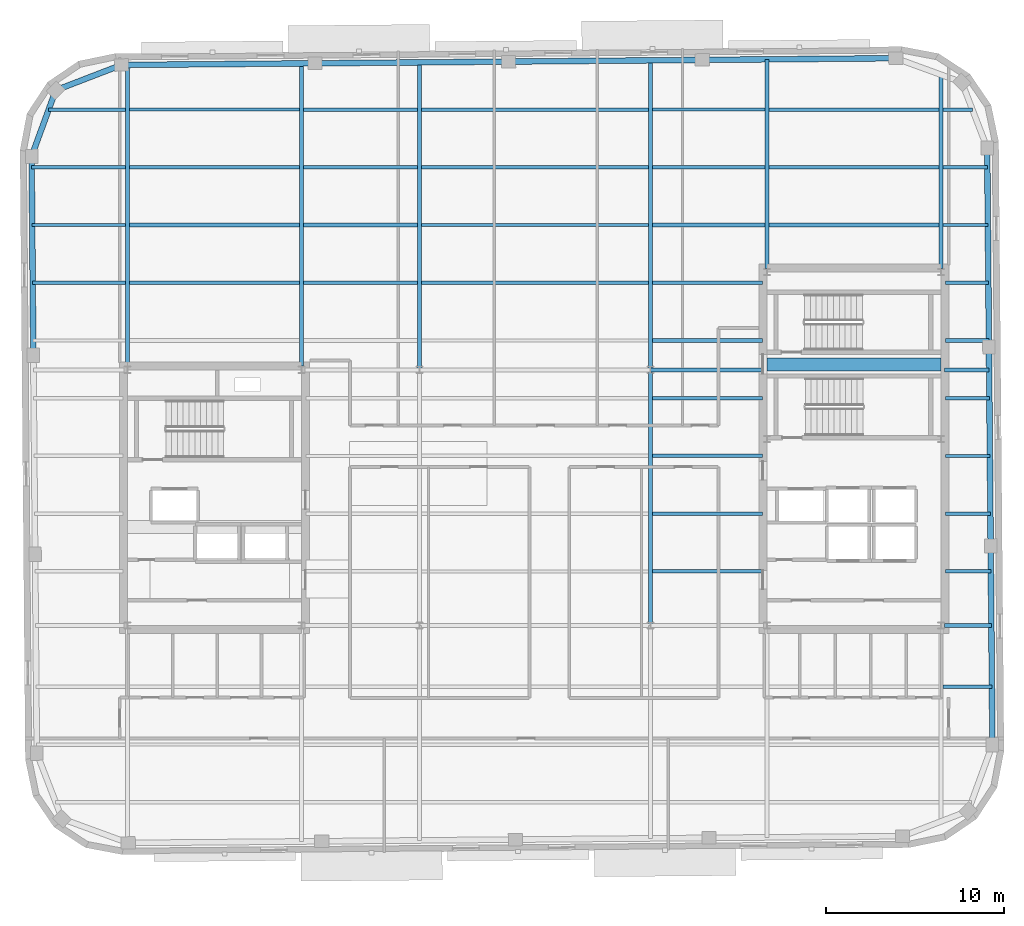
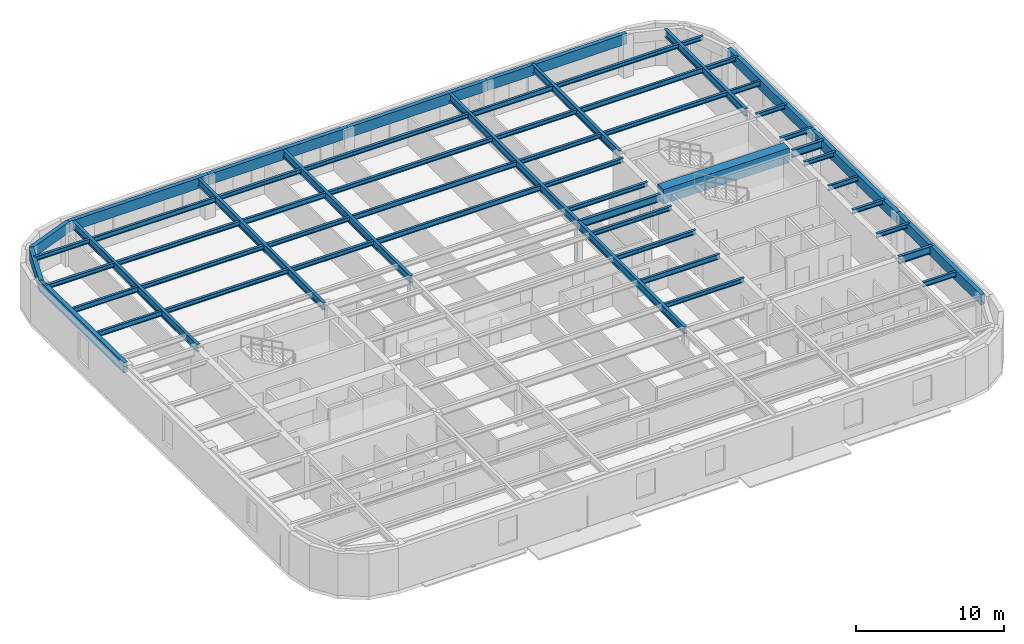
# One storey, part 5 of 13: 59 beams.
"""IFC4 building model written with IfcOpenShell, lengths in metres."""

import ifcopenshell
import ifcopenshell.guid

model = None  # the IFC model being written
_history = None  # IfcOwnerHistory: only IFC2X3 demands one
_inside = {}  # id of a spatial element -> (the spatial element, [elements in it])
_under = {}  # id of a project, library or spatial element -> (it, [spatial elements below it])
_declared = {}  # id of a project -> (the project, [libraries it declares])
_typed = {}  # id of a type object -> (the type object, [elements of that type])
_made_of = {}  # id of a material, layer set ... -> (it, [elements and type objects made of it])


def new_model(schema):
    """Start an empty IFC model of exactly this schema.

    Asked for "IFC4X3", IfcOpenShell would pick the latest addendum, in which some entities
    have other attributes; the version numbers below select the first issue.
    IFC2X3 requires an IfcOwnerHistory on every rooted entity: one is made here for all.
    """
    global model, _history
    if schema == "IFC4X3":
        model = ifcopenshell.file(schema_version=(4, 3, 0, 0))
    else:
        model = ifcopenshell.file(schema=schema)
    _inside.clear()
    _under.clear()
    _declared.clear()
    _typed.clear()
    _made_of.clear()
    _history = None
    if model.schema == "IFC2X3":
        org = make("IfcOrganization", Name="unknown")
        user = make(
            "IfcPersonAndOrganization",
            ThePerson=make("IfcPerson", FamilyName="unknown"),
            TheOrganization=org,
        )
        app = make(
            "IfcApplication",
            ApplicationDeveloper=org,
            Version="unknown",
            ApplicationFullName="unknown",
            ApplicationIdentifier="unknown",
        )
        _history = make(
            "IfcOwnerHistory",
            OwningUser=user,
            OwningApplication=app,
            ChangeAction="ADDED",
            CreationDate=0,
        )
    return model


def make(cls, **values):
    """One entity of the class cls with the attributes given. An attribute that is None is left unset."""
    return model.create_entity(
        cls, **{name: value for name, value in values.items() if value is not None}
    )


def rooted(cls, **values):
    """An entity with a GlobalId (a new one), such as an element, a storey or a relation."""
    return make(cls, GlobalId=ifcopenshell.guid.new(), OwnerHistory=_history, **values)


def si_unit(unit_type, name, prefix=None):
    """IfcSIUnit, for example si_unit("LENGTHUNIT", "METRE", prefix="MILLI")."""
    return make("IfcSIUnit", UnitType=unit_type, Prefix=prefix, Name=name)


def assignment(units):
    """IfcUnitAssignment: the units of a project."""
    return None if units is None else make("IfcUnitAssignment", Units=units)


def point(xyz):
    """IfcCartesianPoint."""
    return None if xyz is None else make("IfcCartesianPoint", Coordinates=xyz)


def direction(xyz):
    """IfcDirection."""
    return None if xyz is None else make("IfcDirection", DirectionRatios=xyz)


def frame(location, z_axis=None, x_axis=None):
    """IfcAxis2Placement3D, a coordinate frame: its origin and axes. An axis left out is left unset."""
    return make(
        "IfcAxis2Placement3D",
        Location=point(location),
        Axis=direction(z_axis),
        RefDirection=direction(x_axis),
    )


def frame_2d(location, x_axis=None):
    """IfcAxis2Placement2D, a coordinate frame in the plane: its origin and x axis."""
    return make(
        "IfcAxis2Placement2D", Location=point(location), RefDirection=direction(x_axis)
    )


def origin():
    """The frame at (0, 0, 0) with its axes left unset."""
    return frame((0.0, 0.0, 0.0))


def origin_2d():
    """The frame at (0, 0) in the plane with its x axis left unset."""
    return frame_2d((0.0, 0.0))


def place(relative_to, where):
    """IfcLocalPlacement: puts the frame where relative to a parent placement (None: the world)."""
    return make(
        "IfcLocalPlacement", PlacementRelTo=relative_to, RelativePlacement=where
    )


def context(
    kind, dimensions, precision=None, world=None, true_north=None, identifier=None
):
    """IfcGeometricRepresentationContext, for example the 3D "Model" context."""
    return make(
        "IfcGeometricRepresentationContext",
        ContextIdentifier=identifier,
        ContextType=kind,
        CoordinateSpaceDimension=dimensions,
        Precision=precision,
        WorldCoordinateSystem=world,
        TrueNorth=true_north,
    )


def subcontext(parent, identifier, kind, view, scale=None):
    """IfcGeometricRepresentationSubContext, for example "Body" below "Model"."""
    return make(
        "IfcGeometricRepresentationSubContext",
        ContextIdentifier=identifier,
        ContextType=kind,
        ParentContext=parent,
        TargetScale=scale,
        TargetView=view,
    )


def project(units=None, contexts=None):
    """IfcProject with its units and contexts."""
    return rooted(
        "IfcProject",
        Name="project",
        RepresentationContexts=contexts,
        UnitsInContext=assignment(units),
    )


def spatial(cls, under=None, at=None, **own):
    """A site, building, storey or space (cls), placed at a placement, below another one or the project."""
    s = rooted(cls, ObjectPlacement=at, **own)
    if under is not None:
        _under.setdefault(under.id(), (under, []))[1].append(s)
    return s


def profile(cls, at=None, kind="AREA", **sizes):
    """A parametric profile (cls). Its sizes go by their IFC names, for example OverallWidth=200.0."""
    return make(cls, ProfileType=kind, Position=at, **sizes)


def rectangle(**sizes):
    """IfcRectangleProfileDef."""
    return profile("IfcRectangleProfileDef", **sizes)


def hollow_rectangle(**sizes):
    """IfcRectangleHollowProfileDef."""
    return profile("IfcRectangleHollowProfileDef", **sizes)


def i_section(**sizes):
    """IfcIShapeProfileDef."""
    return profile("IfcIShapeProfileDef", **sizes)


def extrude(swept, where, along, depth):
    """IfcExtrudedAreaSolid: the profile swept, set in the frame where, extruded along a direction by depth."""
    return make(
        "IfcExtrudedAreaSolid",
        SweptArea=swept,
        Position=where,
        ExtrudedDirection=direction(along),
        Depth=depth,
    )


def shape(context_of_items, identifier, shape_type, items):
    """IfcShapeRepresentation: the items that make up one representation, for example the "Body"."""
    return make(
        "IfcShapeRepresentation",
        ContextOfItems=context_of_items,
        RepresentationIdentifier=identifier,
        RepresentationType=shape_type,
        Items=items,
    )


def material(Name=None, Category=None):
    """IfcMaterial."""
    return make("IfcMaterial", Name=Name, Category=Category)


def material_profile(
    of_material, cross_section, Name=None, Category=None, Priority=None
):
    """IfcMaterialProfile: a cross section and its material."""
    return make(
        "IfcMaterialProfile",
        Name=Name,
        Material=of_material,
        Profile=cross_section,
        Priority=Priority,
        Category=Category,
    )


def profile_set(profiles, Name=None, composite=None):
    """IfcMaterialProfileSet."""
    return make(
        "IfcMaterialProfileSet",
        Name=Name,
        MaterialProfiles=profiles,
        CompositeProfile=composite,
    )


def made_of(thing, what):
    """Note that an element or type object is made of a material, layer set ...; save() writes the relation."""
    if what is not None:
        _made_of.setdefault(what.id(), (what, []))[1].append(thing)
    return thing


def type_object(cls, material=None, **own):
    """A type object (cls), such as IfcWallType, which elements share."""
    return made_of(rooted(cls, **own), material)


def element(
    cls,
    number,
    at=None,
    inside=None,
    cuts=None,
    type_object=None,
    material=None,
    context=None,
    identifier="Body",
    shape_type=None,
    held_by="IfcProductDefinitionShape",
    body=None,
    shapes=None,
    **own,
):
    """One element of the class cls, such as IfcWall. Its Tag is "e" and its number.

    at: its placement. inside: the storey or other place that contains it. cuts: it is an
    opening in that element (IfcRelVoidsElement). A single representation is given by context,
    identifier, shape_type and body (its items); several are given by shapes. held_by: the class
    of the entity that holds the representations. save() writes the other relations.
    """
    e = rooted(cls, Tag="e%d" % number, ObjectPlacement=at, **own)
    if body is not None:
        shapes = [shape(context, identifier, shape_type, body)]
    if shapes is not None:
        e.Representation = make(held_by, Representations=shapes)
    if inside is not None:
        _inside.setdefault(inside.id(), (inside, []))[1].append(e)
    if cuts is not None:
        rooted(
            "IfcRelVoidsElement", RelatingBuildingElement=cuts, RelatedOpeningElement=e
        )
    if type_object is not None:
        _typed.setdefault(type_object.id(), (type_object, []))[1].append(e)
    return made_of(e, material)


def aggregate(whole, parts):
    """IfcRelAggregates: a whole, such as a stair, and the parts it consists of."""
    return rooted("IfcRelAggregates", RelatingObject=whole, RelatedObjects=parts)


def save(model, path):
    """Write the relations noted so far, then the file.

    IfcRelAggregates (storeys below a building ...), IfcRelContainedInSpatialStructure (elements
    in a storey), IfcRelDefinesByType, IfcRelAssociatesMaterial and IfcRelDeclares: one each for
    every whole, place, type object, material and project.
    """
    for whole, parts in _under.values():
        aggregate(whole, parts)
    for where, things in _inside.values():
        rooted(
            "IfcRelContainedInSpatialStructure",
            RelatedElements=things,
            RelatingStructure=where,
        )
    for kind, things in _typed.values():
        rooted("IfcRelDefinesByType", RelatedObjects=things, RelatingType=kind)
    for what, things in _made_of.values():
        rooted("IfcRelAssociatesMaterial", RelatedObjects=things, RelatingMaterial=what)
    for by, libraries in _declared.values():
        rooted("IfcRelDeclares", RelatingContext=by, RelatedDefinitions=libraries)
    model.write(path)


model = new_model("IFC4")

# Units and contexts
model_context = context("Model", 3, precision=1e-05, world=origin(), true_north=direction((0.0, 1.0)))
body_context = subcontext(model_context, "Body", "Model", "MODEL_VIEW")
ifc_project = project(units=[si_unit("LENGTHUNIT", "METRE"), si_unit("AREAUNIT", "SQUARE_METRE"), si_unit("VOLUMEUNIT", "CUBIC_METRE"), si_unit("PLANEANGLEUNIT", "RADIAN"), si_unit("MASSUNIT", "GRAM", prefix="KILO")], contexts=[model_context])

# Site, building, storey
site_placement = place(None, origin())
site = spatial("IfcSite", under=ifc_project, at=site_placement, CompositionType="ELEMENT")
building_placement = place(site_placement, origin())
building = spatial("IfcBuilding", under=site, at=building_placement, Name="Kolvaren Arena Tower", CompositionType="ELEMENT")
storey_placement = place(building_placement, frame((0.0, 0.0, 301.14990234375)))
storey = spatial("IfcBuildingStorey", under=building, at=storey_placement, Name="L74", CompositionType="ELEMENT", Elevation=301.14990234375)

# Beams
ifc_material_1 = material(Name="Steel CSA G40.21 350W", Category="steel")
ifc_material_profile_1 = material_profile(ifc_material_1, i_section(OverallWidth=0.180908203125, OverallDepth=0.4169921875, WebThickness=0.010986328125, FlangeThickness=0.018310546875, FilletRadius=0.011962890625, at=origin_2d()), Name="W410x85")
ifc_profile_set_1 = profile_set([ifc_material_profile_1], Name="Steel CSA G40.21 350W")
beam_type_1 = type_object("IfcBeamType", Name="BEAM-F3", PredefinedType="BEAM", material=ifc_profile_set_1)
beam_1_placement = place(storey_placement, frame((60.464111328125, 16.0, 3.271484375), z_axis=(1.0, 0.0, 0.0), x_axis=(0.0, 1.0, 0.0)))
element("IfcBeam", 1, at=beam_1_placement, inside=storey, type_object=beam_type_1, Name="Composite Floor Beam (L74)", PredefinedType="BEAM", context=body_context, shape_type="SweptSolid", body=[
    extrude(i_section(OverallWidth=0.180908203125, OverallDepth=0.4169921875, WebThickness=0.010986328125, FlangeThickness=0.018310546875, FilletRadius=0.011962890625, at=origin_2d()), origin(), (0.0, 0.0, 1.0), 2.7529296875),
])
beam_2_placement = place(storey_placement, frame((44.114013671875, 25.75, 3.271484375), z_axis=(1.0, 0.0, 0.0), x_axis=(0.0, 1.0, 0.0)))
element("IfcBeam", 2, at=beam_2_placement, inside=storey, type_object=beam_type_1, Name="Composite Floor Beam (L74)", PredefinedType="BEAM", context=body_context, shape_type="SweptSolid", body=[
    extrude(i_section(OverallWidth=0.180908203125, OverallDepth=0.4169921875, WebThickness=0.010986328125, FlangeThickness=0.018310546875, FilletRadius=0.011962890625, at=origin_2d()), origin(), (0.0, 0.0, 1.0), 6.19091796875),
])
beam_3_placement = place(storey_placement, frame((60.594970703125, 29.0, 3.271484375), z_axis=(1.0, 0.0, 0.0), x_axis=(0.0, 1.0, 0.0)))
element("IfcBeam", 3, at=beam_3_placement, inside=storey, type_object=beam_type_1, Name="Composite Floor Beam (L74)", PredefinedType="BEAM", context=body_context, shape_type="SweptSolid", body=[
    extrude(i_section(OverallWidth=0.180908203125, OverallDepth=0.4169921875, WebThickness=0.010986328125, FlangeThickness=0.018310546875, FilletRadius=0.011962890625, at=origin_2d()), origin(), (0.0, 0.0, 1.0), 2.508544921875),
])
beam_4_placement = place(storey_placement, frame((9.216552734375, 38.75, 3.271484375), z_axis=(1.0, 0.0, 0.0), x_axis=(0.0, 1.0, 0.0)))
element("IfcBeam", 4, at=beam_4_placement, inside=storey, type_object=beam_type_1, Name="Composite Floor Beam (L74)", PredefinedType="BEAM", context=body_context, shape_type="SweptSolid", body=[
    extrude(i_section(OverallWidth=0.180908203125, OverallDepth=0.4169921875, WebThickness=0.010986328125, FlangeThickness=0.018310546875, FilletRadius=0.011962890625, at=origin_2d()), origin(), (0.0, 0.0, 1.0), 5.219482421875),
])
beam_5_placement = place(storey_placement, frame((31.114013671875, 38.75, 3.271484375), z_axis=(1.0, 0.0, 0.0), x_axis=(0.0, 1.0, 0.0)))
element("IfcBeam", 5, at=beam_5_placement, inside=storey, type_object=beam_type_1, Name="Composite Floor Beam (L74)", PredefinedType="BEAM", context=body_context, shape_type="SweptSolid", body=[
    extrude(i_section(OverallWidth=0.180908203125, OverallDepth=0.4169921875, WebThickness=0.010986328125, FlangeThickness=0.018310546875, FilletRadius=0.011962890625, at=origin_2d()), origin(), (0.0, 0.0, 1.0), 12.77197265625),
])
beam_6_placement = place(storey_placement, frame((9.18798828125, 42.0, 3.271484375), z_axis=(1.0, 0.0, 0.0), x_axis=(0.0, 1.0, 0.0)))
element("IfcBeam", 6, at=beam_6_placement, inside=storey, type_object=beam_type_1, Name="Composite Floor Beam (L74)", PredefinedType="BEAM", context=body_context, shape_type="SweptSolid", body=[
    extrude(i_section(OverallWidth=0.180908203125, OverallDepth=0.4169921875, WebThickness=0.010986328125, FlangeThickness=0.018310546875, FilletRadius=0.011962890625, at=origin_2d()), origin(), (0.0, 0.0, 1.0), 5.248046875),
])
beam_7_placement = place(storey_placement, frame((31.114013671875, 42.0, 3.271484375), z_axis=(1.0, 0.0, 0.0), x_axis=(0.0, 1.0, 0.0)))
element("IfcBeam", 7, at=beam_7_placement, inside=storey, type_object=beam_type_1, Name="Composite Floor Beam (L74)", PredefinedType="BEAM", context=body_context, shape_type="SweptSolid", body=[
    extrude(i_section(OverallWidth=0.180908203125, OverallDepth=0.4169921875, WebThickness=0.010986328125, FlangeThickness=0.018310546875, FilletRadius=0.011962890625, at=origin_2d()), origin(), (0.0, 0.0, 1.0), 12.77197265625),
])
beam_8_placement = place(storey_placement, frame((60.464111328125, 42.0, 3.271484375), z_axis=(1.0, 0.0, 0.0), x_axis=(0.0, 1.0, 0.0)))
element("IfcBeam", 8, at=beam_8_placement, inside=storey, type_object=beam_type_1, Name="Composite Floor Beam (L74)", PredefinedType="BEAM", context=body_context, shape_type="SweptSolid", body=[
    extrude(i_section(OverallWidth=0.180908203125, OverallDepth=0.4169921875, WebThickness=0.010986328125, FlangeThickness=0.018310546875, FilletRadius=0.011962890625, at=origin_2d()), origin(), (0.0, 0.0, 1.0), 2.526123046875),
])
beam_9_placement = place(storey_placement, frame((24.464111328125, 45.25, 3.271484375), z_axis=(1.0, 0.0, 0.0), x_axis=(0.0, 1.0, 0.0)))
element("IfcBeam", 9, at=beam_9_placement, inside=storey, type_object=beam_type_1, Name="Composite Floor Beam (L74)", PredefinedType="BEAM", context=body_context, shape_type="SweptSolid", body=[
    extrude(i_section(OverallWidth=0.180908203125, OverallDepth=0.4169921875, WebThickness=0.010986328125, FlangeThickness=0.018310546875, FilletRadius=0.011962890625, at=origin_2d()), origin(), (0.0, 0.0, 1.0), 6.421875),
])
for number, where, z_axis, x_axis, name in (
    (10, (50.6640625, 45.25, 3.271484375), (1.0, 0.0, 0.0), (0.0, 1.0, 0.0), "Composite Floor Beam (L74)"),
    (11, (14.6640625, 48.5, 3.271484375), (1.0, 0.0, 0.0), (0.0, 1.0, 0.0), "Composite Floor Beam (L74)"),
):
    element("IfcBeam", number, at=place(storey_placement, frame(where, z_axis=z_axis, x_axis=x_axis)), inside=storey, type_object=beam_type_1, Name=name, PredefinedType="BEAM", context=body_context, shape_type="SweptSolid", body=[
        extrude(i_section(OverallWidth=0.180908203125, OverallDepth=0.4169921875, WebThickness=0.010986328125, FlangeThickness=0.018310546875, FilletRadius=0.011962890625, at=origin_2d()), origin(), (0.0, 0.0, 1.0), 9.572021484375),
    ])
beam_10_placement = place(storey_placement, frame((44.114013671875, 48.5, 3.271484375), z_axis=(1.0, 0.0, 0.0), x_axis=(0.0, 1.0, 0.0)))
element("IfcBeam", 12, at=beam_10_placement, inside=storey, type_object=beam_type_1, Name="Composite Floor Beam (L74)", PredefinedType="BEAM", context=body_context, shape_type="SweptSolid", body=[
    extrude(i_section(OverallWidth=0.180908203125, OverallDepth=0.4169921875, WebThickness=0.010986328125, FlangeThickness=0.018310546875, FilletRadius=0.011962890625, at=origin_2d()), origin(), (0.0, 0.0, 1.0), 6.322021484375),
])
ifc_material_2 = material(Name="Concrete 60 MPa", Category="concrete")
ifc_material_profile_2 = material_profile(ifc_material_2, rectangle(XDim=0.75, YDim=1.199951171875, at=origin_2d()), Name="RC-750x1200")
ifc_profile_set_2 = profile_set([ifc_material_profile_2], Name="Concrete 60 MPa")
beam_type_2 = type_object("IfcBeamType", Name="CB-CORE-2", PredefinedType="BEAM", material=ifc_profile_set_2)
beam_11_placement = place(storey_placement, frame((50.550048828125, 34.14990234375, 3.150146484375), z_axis=(1.0, 0.0, 0.0), x_axis=(0.0, 1.0, 0.0)))
element("IfcBeam", 13, at=beam_11_placement, inside=storey, type_object=beam_type_2, Name="East Core Coupling Beam (L74)", PredefinedType="BEAM", context=body_context, shape_type="SweptSolid", body=[
    extrude(rectangle(XDim=0.75, YDim=1.199951171875, at=origin_2d()), origin(), (0.0, 0.0, 1.0), 9.800048828125),
])
ifc_material_profile_3 = material_profile(ifc_material_1, i_section(OverallWidth=0.22802734375, OverallDepth=0.615966796875, WebThickness=0.013916015625, FlangeThickness=0.02490234375, FilletRadius=0.014892578125, at=origin_2d()), Name="W610x174")
ifc_profile_set_3 = profile_set([ifc_material_profile_3], Name="Steel CSA G40.21 350W")
beam_type_3 = type_object("IfcBeamType", Name="GIRD-T3", PredefinedType="BEAM", material=ifc_profile_set_3)
beam_12_placement = place(storey_placement, frame((60.554931640625, 19.449951171875, 3.172119140625), z_axis=(1.0, 0.0, 0.0), x_axis=(0.0, 1.0, 0.0)))
element("IfcBeam", 14, at=beam_12_placement, inside=storey, type_object=beam_type_3, Name="Primary Floor Girder (L74)", PredefinedType="BEAM", context=body_context, shape_type="SweptSolid", body=[
    extrude(i_section(OverallWidth=0.22802734375, OverallDepth=0.615966796875, WebThickness=0.013916015625, FlangeThickness=0.02490234375, FilletRadius=0.014892578125, at=origin_2d()), origin(), (0.0, 0.0, 1.0), 2.632080078125),
])
beam_13_placement = place(storey_placement, frame((44.0, 33.85009765625, 3.172119140625), z_axis=(1.0, 0.0, 0.0), x_axis=(0.0, 1.0, 0.0)))
element("IfcBeam", 15, at=beam_13_placement, inside=storey, type_object=beam_type_3, Name="Primary Floor Girder (L74)", PredefinedType="BEAM", context=body_context, shape_type="SweptSolid", body=[
    extrude(i_section(OverallWidth=0.22802734375, OverallDepth=0.615966796875, WebThickness=0.013916015625, FlangeThickness=0.02490234375, FilletRadius=0.014892578125, at=origin_2d()), origin(), (0.0, 0.0, 1.0), 6.344970703125),
])
beam_14_placement = place(storey_placement, frame((60.554931640625, 33.85009765625, 3.172119140625), z_axis=(1.0, 0.0, 0.0), x_axis=(0.0, 1.0, 0.0)))
element("IfcBeam", 16, at=beam_14_placement, inside=storey, type_object=beam_type_3, Name="Primary Floor Girder (L74)", PredefinedType="BEAM", context=body_context, shape_type="SweptSolid", body=[
    extrude(i_section(OverallWidth=0.22802734375, OverallDepth=0.615966796875, WebThickness=0.013916015625, FlangeThickness=0.02490234375, FilletRadius=0.014892578125, at=origin_2d()), origin(), (0.0, 0.0, 1.0), 2.50634765625),
])
beam_15_placement = place(storey_placement, frame((14.550048828125, 34.054931640625, 3.172119140625), z_axis=(0.0, 1.0, 0.0), x_axis=(-1.0, 0.0, 0.0)))
element("IfcBeam", 17, at=beam_15_placement, inside=storey, type_object=beam_type_3, Name="Primary Floor Girder (L74)", PredefinedType="BEAM", context=body_context, shape_type="SweptSolid", body=[
    extrude(i_section(OverallWidth=0.22802734375, OverallDepth=0.615966796875, WebThickness=0.013916015625, FlangeThickness=0.02490234375, FilletRadius=0.014892578125, at=origin_2d()), origin(), (0.0, 0.0, 1.0), 16.95703125),
])
beam_16_placement = place(storey_placement, frame((24.35009765625, 34.054931640625, 3.172119140625), z_axis=(0.0, 1.0, 0.0), x_axis=(-1.0, 0.0, 0.0)))
element("IfcBeam", 18, at=beam_16_placement, inside=storey, type_object=beam_type_3, Name="Primary Floor Girder (L74)", PredefinedType="BEAM", context=body_context, shape_type="SweptSolid", body=[
    extrude(i_section(OverallWidth=0.22802734375, OverallDepth=0.615966796875, WebThickness=0.013916015625, FlangeThickness=0.02490234375, FilletRadius=0.014892578125, at=origin_2d()), origin(), (0.0, 0.0, 1.0), 17.04248046875),
])
beam_17_placement = place(storey_placement, frame((31.0, 33.85009765625, 3.172119140625), z_axis=(0.0, 1.0, 0.0), x_axis=(-1.0, 0.0, 0.0)))
element("IfcBeam", 19, at=beam_17_placement, inside=storey, type_object=beam_type_3, Name="Primary Floor Girder (L74)", PredefinedType="BEAM", context=body_context, shape_type="SweptSolid", body=[
    extrude(i_section(OverallWidth=0.22802734375, OverallDepth=0.615966796875, WebThickness=0.013916015625, FlangeThickness=0.02490234375, FilletRadius=0.014892578125, at=origin_2d()), origin(), (0.0, 0.0, 1.0), 17.305419921875),
])
beam_18_placement = place(storey_placement, frame((44.0, 19.449951171875, 3.172119140625), z_axis=(0.0, 1.0, 0.0), x_axis=(-1.0, 0.0, 0.0)))
element("IfcBeam", 20, at=beam_18_placement, inside=storey, type_object=beam_type_3, Name="Primary Floor Girder (L74)", PredefinedType="BEAM", context=body_context, shape_type="SweptSolid", body=[
    extrude(i_section(OverallWidth=0.22802734375, OverallDepth=0.615966796875, WebThickness=0.013916015625, FlangeThickness=0.02490234375, FilletRadius=0.014892578125, at=origin_2d()), origin(), (0.0, 0.0, 1.0), 14.400146484375),
])
beam_19_placement = place(storey_placement, frame((44.0, 33.85009765625, 3.172119140625), z_axis=(0.0, 1.0, 0.0), x_axis=(-1.0, 0.0, 0.0)))
element("IfcBeam", 21, at=beam_19_placement, inside=storey, type_object=beam_type_3, Name="Primary Floor Girder (L74)", PredefinedType="BEAM", context=body_context, shape_type="SweptSolid", body=[
    extrude(i_section(OverallWidth=0.22802734375, OverallDepth=0.615966796875, WebThickness=0.013916015625, FlangeThickness=0.02490234375, FilletRadius=0.014892578125, at=origin_2d()), origin(), (0.0, 0.0, 1.0), 17.418701171875),
])
beam_20_placement = place(storey_placement, frame((50.550048828125, 39.554931640625, 3.172119140625), z_axis=(0.0, 1.0, 0.0), x_axis=(-1.0, 0.0, 0.0)))
element("IfcBeam", 22, at=beam_20_placement, inside=storey, type_object=beam_type_3, Name="Primary Floor Girder (L74)", PredefinedType="BEAM", context=body_context, shape_type="SweptSolid", body=[
    extrude(i_section(OverallWidth=0.22802734375, OverallDepth=0.615966796875, WebThickness=0.013916015625, FlangeThickness=0.02490234375, FilletRadius=0.014892578125, at=origin_2d()), origin(), (0.0, 0.0, 1.0), 11.771240234375),
])
beam_21_placement = place(storey_placement, frame((60.35009765625, 39.554931640625, 3.172119140625), z_axis=(0.0, 1.0, 0.0), x_axis=(-1.0, 0.0, 0.0)))
element("IfcBeam", 23, at=beam_21_placement, inside=storey, type_object=beam_type_3, Name="Primary Floor Girder (L74)", PredefinedType="BEAM", context=body_context, shape_type="SweptSolid", body=[
    extrude(i_section(OverallWidth=0.22802734375, OverallDepth=0.615966796875, WebThickness=0.013916015625, FlangeThickness=0.02490234375, FilletRadius=0.014892578125, at=origin_2d()), origin(), (0.0, 0.0, 1.0), 10.90625),
])
ifc_material_profile_4 = material_profile(ifc_material_1, i_section(OverallWidth=0.202880859375, OverallDepth=0.346923828125, WebThickness=0.0078125, FlangeThickness=0.013427734375, FilletRadius=0.010986328125, at=origin_2d()), Name="W360x64")
ifc_profile_set_4 = profile_set([ifc_material_profile_4], Name="Steel CSA G40.21 350W")
beam_type_4 = type_object("IfcBeamType", Name="JOIST-01", PredefinedType="JOIST", material=ifc_profile_set_4)
beam_22_placement = place(storey_placement, frame((44.114013671875, 22.5, 3.306640625), z_axis=(1.0, 0.0, 0.0), x_axis=(0.0, 1.0, 0.0)))
element("IfcBeam", 24, at=beam_22_placement, inside=storey, type_object=beam_type_4, Name="Composite Floor Joist (L74)", PredefinedType="JOIST", context=body_context, shape_type="SweptSolid", body=[
    extrude(i_section(OverallWidth=0.202880859375, OverallDepth=0.346923828125, WebThickness=0.0078125, FlangeThickness=0.013427734375, FilletRadius=0.010986328125, at=origin_2d()), origin(), (0.0, 0.0, 1.0), 6.19091796875),
])
beam_23_placement = place(storey_placement, frame((60.594970703125, 22.5, 3.306640625), z_axis=(1.0, 0.0, 0.0), x_axis=(0.0, 1.0, 0.0)))
element("IfcBeam", 25, at=beam_23_placement, inside=storey, type_object=beam_type_4, Name="Composite Floor Joist (L74)", PredefinedType="JOIST", context=body_context, shape_type="SweptSolid", body=[
    extrude(i_section(OverallWidth=0.202880859375, OverallDepth=0.346923828125, WebThickness=0.0078125, FlangeThickness=0.013427734375, FilletRadius=0.010986328125, at=origin_2d()), origin(), (0.0, 0.0, 1.0), 2.5654296875),
])
beam_24_placement = place(storey_placement, frame((60.594970703125, 25.75, 3.306640625), z_axis=(1.0, 0.0, 0.0), x_axis=(0.0, 1.0, 0.0)))
element("IfcBeam", 26, at=beam_24_placement, inside=storey, type_object=beam_type_4, Name="Composite Floor Joist (L74)", PredefinedType="JOIST", context=body_context, shape_type="SweptSolid", body=[
    extrude(i_section(OverallWidth=0.202880859375, OverallDepth=0.346923828125, WebThickness=0.0078125, FlangeThickness=0.013427734375, FilletRadius=0.010986328125, at=origin_2d()), origin(), (0.0, 0.0, 1.0), 2.537109375),
])
for number, where, z_axis, x_axis, name in (
    (27, (44.114013671875, 29.0, 3.306640625), (1.0, 0.0, 0.0), (0.0, 1.0, 0.0), "Composite Floor Joist (L74)"),
    (28, (44.114013671875, 32.25, 3.306640625), (1.0, 0.0, 0.0), (0.0, 1.0, 0.0), "Composite Floor Joist (L74)"),
):
    element("IfcBeam", number, at=place(storey_placement, frame(where, z_axis=z_axis, x_axis=x_axis)), inside=storey, type_object=beam_type_4, Name=name, PredefinedType="JOIST", context=body_context, shape_type="SweptSolid", body=[
        extrude(i_section(OverallWidth=0.202880859375, OverallDepth=0.346923828125, WebThickness=0.0078125, FlangeThickness=0.013427734375, FilletRadius=0.010986328125, at=origin_2d()), origin(), (0.0, 0.0, 1.0), 6.19091796875),
    ])
beam_25_placement = place(storey_placement, frame((60.594970703125, 32.25, 3.306640625), z_axis=(1.0, 0.0, 0.0), x_axis=(0.0, 1.0, 0.0)))
element("IfcBeam", 29, at=beam_25_placement, inside=storey, type_object=beam_type_4, Name="Composite Floor Joist (L74)", PredefinedType="JOIST", context=body_context, shape_type="SweptSolid", body=[
    extrude(i_section(OverallWidth=0.202880859375, OverallDepth=0.346923828125, WebThickness=0.0078125, FlangeThickness=0.013427734375, FilletRadius=0.010986328125, at=origin_2d()), origin(), (0.0, 0.0, 1.0), 2.480224609375),
])
beam_26_placement = place(storey_placement, frame((44.114013671875, 35.5, 3.306640625), z_axis=(1.0, 0.0, 0.0), x_axis=(0.0, 1.0, 0.0)))
element("IfcBeam", 30, at=beam_26_placement, inside=storey, type_object=beam_type_4, Name="Composite Floor Joist (L74)", PredefinedType="JOIST", context=body_context, shape_type="SweptSolid", body=[
    extrude(i_section(OverallWidth=0.202880859375, OverallDepth=0.346923828125, WebThickness=0.0078125, FlangeThickness=0.013427734375, FilletRadius=0.010986328125, at=origin_2d()), origin(), (0.0, 0.0, 1.0), 6.19091796875),
])
beam_27_placement = place(storey_placement, frame((60.594970703125, 35.5, 3.306640625), z_axis=(1.0, 0.0, 0.0), x_axis=(0.0, 1.0, 0.0)))
element("IfcBeam", 31, at=beam_27_placement, inside=storey, type_object=beam_type_4, Name="Composite Floor Joist (L74)", PredefinedType="JOIST", context=body_context, shape_type="SweptSolid", body=[
    extrude(i_section(OverallWidth=0.202880859375, OverallDepth=0.346923828125, WebThickness=0.0078125, FlangeThickness=0.013427734375, FilletRadius=0.010986328125, at=origin_2d()), origin(), (0.0, 0.0, 1.0), 2.451904296875),
])
beam_28_placement = place(storey_placement, frame((14.6640625, 38.75, 3.306640625), z_axis=(1.0, 0.0, 0.0), x_axis=(0.0, 1.0, 0.0)))
element("IfcBeam", 32, at=beam_28_placement, inside=storey, type_object=beam_type_4, Name="Composite Floor Joist (L74)", PredefinedType="JOIST", context=body_context, shape_type="SweptSolid", body=[
    extrude(i_section(OverallWidth=0.202880859375, OverallDepth=0.346923828125, WebThickness=0.0078125, FlangeThickness=0.013427734375, FilletRadius=0.010986328125, at=origin_2d()), origin(), (0.0, 0.0, 1.0), 9.572021484375),
])
beam_29_placement = place(storey_placement, frame((24.464111328125, 38.75, 3.306640625), z_axis=(1.0, 0.0, 0.0), x_axis=(0.0, 1.0, 0.0)))
element("IfcBeam", 33, at=beam_29_placement, inside=storey, type_object=beam_type_4, Name="Composite Floor Joist (L74)", PredefinedType="JOIST", context=body_context, shape_type="SweptSolid", body=[
    extrude(i_section(OverallWidth=0.202880859375, OverallDepth=0.346923828125, WebThickness=0.0078125, FlangeThickness=0.013427734375, FilletRadius=0.010986328125, at=origin_2d()), origin(), (0.0, 0.0, 1.0), 6.421875),
])
beam_30_placement = place(storey_placement, frame((44.114013671875, 38.75, 3.306640625), z_axis=(1.0, 0.0, 0.0), x_axis=(0.0, 1.0, 0.0)))
element("IfcBeam", 34, at=beam_30_placement, inside=storey, type_object=beam_type_4, Name="Composite Floor Joist (L74)", PredefinedType="JOIST", context=body_context, shape_type="SweptSolid", body=[
    extrude(i_section(OverallWidth=0.202880859375, OverallDepth=0.346923828125, WebThickness=0.0078125, FlangeThickness=0.013427734375, FilletRadius=0.010986328125, at=origin_2d()), origin(), (0.0, 0.0, 1.0), 6.19091796875),
])
beam_31_placement = place(storey_placement, frame((60.594970703125, 38.75, 3.306640625), z_axis=(1.0, 0.0, 0.0), x_axis=(0.0, 1.0, 0.0)))
element("IfcBeam", 35, at=beam_31_placement, inside=storey, type_object=beam_type_4, Name="Composite Floor Joist (L74)", PredefinedType="JOIST", context=body_context, shape_type="SweptSolid", body=[
    extrude(i_section(OverallWidth=0.202880859375, OverallDepth=0.346923828125, WebThickness=0.0078125, FlangeThickness=0.013427734375, FilletRadius=0.010986328125, at=origin_2d()), origin(), (0.0, 0.0, 1.0), 2.423583984375),
])
beam_32_placement = place(storey_placement, frame((14.6640625, 42.0, 3.306640625), z_axis=(1.0, 0.0, 0.0), x_axis=(0.0, 1.0, 0.0)))
element("IfcBeam", 36, at=beam_32_placement, inside=storey, type_object=beam_type_4, Name="Composite Floor Joist (L74)", PredefinedType="JOIST", context=body_context, shape_type="SweptSolid", body=[
    extrude(i_section(OverallWidth=0.202880859375, OverallDepth=0.346923828125, WebThickness=0.0078125, FlangeThickness=0.013427734375, FilletRadius=0.010986328125, at=origin_2d()), origin(), (0.0, 0.0, 1.0), 9.572021484375),
])
beam_33_placement = place(storey_placement, frame((24.464111328125, 42.0, 3.306640625), z_axis=(1.0, 0.0, 0.0), x_axis=(0.0, 1.0, 0.0)))
element("IfcBeam", 37, at=beam_33_placement, inside=storey, type_object=beam_type_4, Name="Composite Floor Joist (L74)", PredefinedType="JOIST", context=body_context, shape_type="SweptSolid", body=[
    extrude(i_section(OverallWidth=0.202880859375, OverallDepth=0.346923828125, WebThickness=0.0078125, FlangeThickness=0.013427734375, FilletRadius=0.010986328125, at=origin_2d()), origin(), (0.0, 0.0, 1.0), 6.421875),
])
beam_34_placement = place(storey_placement, frame((44.114013671875, 42.0, 3.306640625), z_axis=(1.0, 0.0, 0.0), x_axis=(0.0, 1.0, 0.0)))
element("IfcBeam", 38, at=beam_34_placement, inside=storey, type_object=beam_type_4, Name="Composite Floor Joist (L74)", PredefinedType="JOIST", context=body_context, shape_type="SweptSolid", body=[
    extrude(i_section(OverallWidth=0.202880859375, OverallDepth=0.346923828125, WebThickness=0.0078125, FlangeThickness=0.013427734375, FilletRadius=0.010986328125, at=origin_2d()), origin(), (0.0, 0.0, 1.0), 6.322021484375),
])
beam_35_placement = place(storey_placement, frame((50.6640625, 42.0, 3.306640625), z_axis=(1.0, 0.0, 0.0), x_axis=(0.0, 1.0, 0.0)))
element("IfcBeam", 39, at=beam_35_placement, inside=storey, type_object=beam_type_4, Name="Composite Floor Joist (L74)", PredefinedType="JOIST", context=body_context, shape_type="SweptSolid", body=[
    extrude(i_section(OverallWidth=0.202880859375, OverallDepth=0.346923828125, WebThickness=0.0078125, FlangeThickness=0.013427734375, FilletRadius=0.010986328125, at=origin_2d()), origin(), (0.0, 0.0, 1.0), 9.572021484375),
])
beam_36_placement = place(storey_placement, frame((9.159912109375, 45.25, 3.306640625), z_axis=(1.0, 0.0, 0.0), x_axis=(0.0, 1.0, 0.0)))
element("IfcBeam", 40, at=beam_36_placement, inside=storey, type_object=beam_type_4, Name="Composite Floor Joist (L74)", PredefinedType="JOIST", context=body_context, shape_type="SweptSolid", body=[
    extrude(i_section(OverallWidth=0.202880859375, OverallDepth=0.346923828125, WebThickness=0.0078125, FlangeThickness=0.013427734375, FilletRadius=0.010986328125, at=origin_2d()), origin(), (0.0, 0.0, 1.0), 5.276123046875),
])
beam_37_placement = place(storey_placement, frame((14.6640625, 45.25, 3.306640625), z_axis=(1.0, 0.0, 0.0), x_axis=(0.0, 1.0, 0.0)))
element("IfcBeam", 41, at=beam_37_placement, inside=storey, type_object=beam_type_4, Name="Composite Floor Joist (L74)", PredefinedType="JOIST", context=body_context, shape_type="SweptSolid", body=[
    extrude(i_section(OverallWidth=0.202880859375, OverallDepth=0.346923828125, WebThickness=0.0078125, FlangeThickness=0.013427734375, FilletRadius=0.010986328125, at=origin_2d()), origin(), (0.0, 0.0, 1.0), 9.572021484375),
])
beam_38_placement = place(storey_placement, frame((31.114013671875, 45.25, 3.306640625), z_axis=(1.0, 0.0, 0.0), x_axis=(0.0, 1.0, 0.0)))
element("IfcBeam", 42, at=beam_38_placement, inside=storey, type_object=beam_type_4, Name="Composite Floor Joist (L74)", PredefinedType="JOIST", context=body_context, shape_type="SweptSolid", body=[
    extrude(i_section(OverallWidth=0.202880859375, OverallDepth=0.346923828125, WebThickness=0.0078125, FlangeThickness=0.013427734375, FilletRadius=0.010986328125, at=origin_2d()), origin(), (0.0, 0.0, 1.0), 12.77197265625),
])
beam_39_placement = place(storey_placement, frame((44.114013671875, 45.25, 3.306640625), z_axis=(1.0, 0.0, 0.0), x_axis=(0.0, 1.0, 0.0)))
element("IfcBeam", 43, at=beam_39_placement, inside=storey, type_object=beam_type_4, Name="Composite Floor Joist (L74)", PredefinedType="JOIST", context=body_context, shape_type="SweptSolid", body=[
    extrude(i_section(OverallWidth=0.202880859375, OverallDepth=0.346923828125, WebThickness=0.0078125, FlangeThickness=0.013427734375, FilletRadius=0.010986328125, at=origin_2d()), origin(), (0.0, 0.0, 1.0), 6.322021484375),
])
beam_40_placement = place(storey_placement, frame((60.464111328125, 45.25, 3.306640625), z_axis=(1.0, 0.0, 0.0), x_axis=(0.0, 1.0, 0.0)))
element("IfcBeam", 44, at=beam_40_placement, inside=storey, type_object=beam_type_4, Name="Composite Floor Joist (L74)", PredefinedType="JOIST", context=body_context, shape_type="SweptSolid", body=[
    extrude(i_section(OverallWidth=0.202880859375, OverallDepth=0.346923828125, WebThickness=0.0078125, FlangeThickness=0.013427734375, FilletRadius=0.010986328125, at=origin_2d()), origin(), (0.0, 0.0, 1.0), 2.497802734375),
])
beam_41_placement = place(storey_placement, frame((10.11669921875, 48.5, 3.306640625), z_axis=(1.0, 0.0, 0.0), x_axis=(0.0, 1.0, 0.0)))
element("IfcBeam", 45, at=beam_41_placement, inside=storey, type_object=beam_type_4, Name="Composite Floor Joist (L74)", PredefinedType="JOIST", context=body_context, shape_type="SweptSolid", body=[
    extrude(i_section(OverallWidth=0.202880859375, OverallDepth=0.346923828125, WebThickness=0.0078125, FlangeThickness=0.013427734375, FilletRadius=0.010986328125, at=origin_2d()), origin(), (0.0, 0.0, 1.0), 4.3193359375),
])
beam_42_placement = place(storey_placement, frame((24.464111328125, 48.5, 3.306640625), z_axis=(1.0, 0.0, 0.0), x_axis=(0.0, 1.0, 0.0)))
element("IfcBeam", 46, at=beam_42_placement, inside=storey, type_object=beam_type_4, Name="Composite Floor Joist (L74)", PredefinedType="JOIST", context=body_context, shape_type="SweptSolid", body=[
    extrude(i_section(OverallWidth=0.202880859375, OverallDepth=0.346923828125, WebThickness=0.0078125, FlangeThickness=0.013427734375, FilletRadius=0.010986328125, at=origin_2d()), origin(), (0.0, 0.0, 1.0), 6.421875),
])
beam_43_placement = place(storey_placement, frame((31.114013671875, 48.5, 3.306640625), z_axis=(1.0, 0.0, 0.0), x_axis=(0.0, 1.0, 0.0)))
element("IfcBeam", 47, at=beam_43_placement, inside=storey, type_object=beam_type_4, Name="Composite Floor Joist (L74)", PredefinedType="JOIST", context=body_context, shape_type="SweptSolid", body=[
    extrude(i_section(OverallWidth=0.202880859375, OverallDepth=0.346923828125, WebThickness=0.0078125, FlangeThickness=0.013427734375, FilletRadius=0.010986328125, at=origin_2d()), origin(), (0.0, 0.0, 1.0), 12.77197265625),
])
beam_44_placement = place(storey_placement, frame((50.6640625, 48.5, 3.306640625), z_axis=(1.0, 0.0, 0.0), x_axis=(0.0, 1.0, 0.0)))
element("IfcBeam", 48, at=beam_44_placement, inside=storey, type_object=beam_type_4, Name="Composite Floor Joist (L74)", PredefinedType="JOIST", context=body_context, shape_type="SweptSolid", body=[
    extrude(i_section(OverallWidth=0.202880859375, OverallDepth=0.346923828125, WebThickness=0.0078125, FlangeThickness=0.013427734375, FilletRadius=0.010986328125, at=origin_2d()), origin(), (0.0, 0.0, 1.0), 9.572021484375),
])
beam_45_placement = place(storey_placement, frame((60.464111328125, 48.5, 3.306640625), z_axis=(1.0, 0.0, 0.0), x_axis=(0.0, 1.0, 0.0)))
element("IfcBeam", 49, at=beam_45_placement, inside=storey, type_object=beam_type_4, Name="Composite Floor Joist (L74)", PredefinedType="JOIST", context=body_context, shape_type="SweptSolid", body=[
    extrude(i_section(OverallWidth=0.202880859375, OverallDepth=0.346923828125, WebThickness=0.0078125, FlangeThickness=0.013427734375, FilletRadius=0.010986328125, at=origin_2d()), origin(), (0.0, 0.0, 1.0), 1.654296875),
])
ifc_material_3 = material(Name="Steel CSA G40.21 350WT", Category="steel")
ifc_material_profile_5 = material_profile(ifc_material_3, hollow_rectangle(XDim=0.320068359375, YDim=0.860107421875, WallThickness=0.01806640625, at=origin_2d()), Name="HSS 860x320x18")
ifc_profile_set_5 = profile_set([ifc_material_profile_5], Name="Steel CSA G40.21 350WT")
beam_type_5 = type_object("IfcBeamType", Name="SPAND-02", PredefinedType="SPANDREL", material=ifc_profile_set_5)
beam_46_placement = place(storey_placement, frame((63.24560546875, 12.7353515625, 3.050048828125), z_axis=(-0.008741001013, 0.999961796721, 0.0), x_axis=(-0.999961796721, -0.008741001013, 0.0)))
element("IfcBeam", 50, at=beam_46_placement, inside=storey, type_object=beam_type_5, Name="Perimeter Spandrel Beam (L74)", PredefinedType="SPANDREL", context=body_context, shape_type="SweptSolid", body=[
    extrude(hollow_rectangle(XDim=0.320068359375, YDim=0.860107421875, WallThickness=0.01806640625, at=origin_2d()), origin(), (0.0, 0.0, 1.0), 11.2001953125),
])
for number, where, z_axis, x_axis, name in (
    (51, (63.147705078125, 23.93505859375, 3.050048828125), (-0.008719394723, 0.999961985355, 0.0), (-0.999961985355, -0.008719394723, 0.0), "Perimeter Spandrel Beam (L74)"),
    (52, (63.050048828125, 35.134521484375, 3.050048828125), (-0.008719394723, 0.999961985355, 0.0), (-0.999961985355, -0.008719394723, 0.0), "Perimeter Spandrel Beam (L74)"),
):
    element("IfcBeam", number, at=place(storey_placement, frame(where, z_axis=z_axis, x_axis=x_axis)), inside=storey, type_object=beam_type_5, Name=name, PredefinedType="SPANDREL", context=body_context, shape_type="SweptSolid", body=[
        extrude(hollow_rectangle(XDim=0.320068359375, YDim=0.860107421875, WallThickness=0.01806640625, at=origin_2d()), origin(), (0.0, 0.0, 1.0), 11.199951171875),
    ])
for number, where, z_axis, x_axis, name in (
    (53, (57.80810546875, 51.389404296875, 3.050048828125), (-0.999961846999, -0.008735247404, 0.0), (0.008735247404, -0.999961846999, 0.0), "Perimeter Spandrel Beam (L74)"),
    (54, (46.908447265625, 51.294189453125, 3.050048828125), (-0.999962042393, -0.008712851036, 0.0), (0.008712851036, -0.999962042393, 0.0), "Perimeter Spandrel Beam (L74)"),
):
    element("IfcBeam", number, at=place(storey_placement, frame(where, z_axis=z_axis, x_axis=x_axis)), inside=storey, type_object=beam_type_5, Name=name, PredefinedType="SPANDREL", context=body_context, shape_type="SweptSolid", body=[
        extrude(hollow_rectangle(XDim=0.320068359375, YDim=0.860107421875, WallThickness=0.01806640625, at=origin_2d()), origin(), (0.0, 0.0, 1.0), 10.900146484375),
    ])
beam_47_placement = place(storey_placement, frame((36.0087890625, 51.19921875, 3.050048828125), z_axis=(-0.999961845289, -0.008735443053, 0.0), x_axis=(0.008735443053, -0.999961845289, 0.0)))
element("IfcBeam", 55, at=beam_47_placement, inside=storey, type_object=beam_type_5, Name="Perimeter Spandrel Beam (L74)", PredefinedType="SPANDREL", context=body_context, shape_type="SweptSolid", body=[
    extrude(hollow_rectangle(XDim=0.320068359375, YDim=0.860107421875, WallThickness=0.01806640625, at=origin_2d()), origin(), (0.0, 0.0, 1.0), 10.89990234375),
])
beam_48_placement = place(storey_placement, frame((25.109375, 51.10400390625, 3.050048828125), z_axis=(-0.999961846999, -0.008735247404, 0.0), x_axis=(0.008735247404, -0.999961846999, 0.0)))
element("IfcBeam", 56, at=beam_48_placement, inside=storey, type_object=beam_type_5, Name="Perimeter Spandrel Beam (L74)", PredefinedType="SPANDREL", context=body_context, shape_type="SweptSolid", body=[
    extrude(hollow_rectangle(XDim=0.320068359375, YDim=0.860107421875, WallThickness=0.01806640625, at=origin_2d()), origin(), (0.0, 0.0, 1.0), 10.900146484375),
])
beam_49_placement = place(storey_placement, frame((14.209716796875, 51.0087890625, 3.050048828125), z_axis=(-0.933210515777, -0.359330117362, 0.0), x_axis=(0.359330117362, -0.933210515777, 0.0)))
element("IfcBeam", 57, at=beam_49_placement, inside=storey, type_object=beam_type_5, Name="Perimeter Spandrel Beam (L74)", PredefinedType="SPANDREL", context=body_context, shape_type="SweptSolid", body=[
    extrude(hollow_rectangle(XDim=0.320068359375, YDim=0.860107421875, WallThickness=0.01806640625, at=origin_2d()), origin(), (0.0, 0.0, 1.0), 3.961181640625),
])
beam_50_placement = place(storey_placement, frame((10.51318359375, 49.58544921875, 3.050048828125), z_axis=(-0.343039242335, -0.939321073019, 0.0), x_axis=(0.939321073019, -0.343039242335, 0.0)))
element("IfcBeam", 58, at=beam_50_placement, inside=storey, type_object=beam_type_5, Name="Perimeter Spandrel Beam (L74)", PredefinedType="SPANDREL", context=body_context, shape_type="SweptSolid", body=[
    extrude(hollow_rectangle(XDim=0.320068359375, YDim=0.860107421875, WallThickness=0.01806640625, at=origin_2d()), origin(), (0.0, 0.0, 1.0), 3.96142578125),
])
beam_51_placement = place(storey_placement, frame((9.154296875, 45.864501953125, 3.050048828125), z_axis=(0.008741191547, -0.999961795055, 0.0), x_axis=(0.999961795055, 0.008741191547, 0.0)))
element("IfcBeam", 59, at=beam_51_placement, inside=storey, type_object=beam_type_5, Name="Perimeter Spandrel Beam (L74)", PredefinedType="SPANDREL", context=body_context, shape_type="SweptSolid", body=[
    extrude(hollow_rectangle(XDim=0.320068359375, YDim=0.860107421875, WallThickness=0.01806640625, at=origin_2d()), origin(), (0.0, 0.0, 1.0), 11.199951171875),
])

save(model, "model.ifc")
